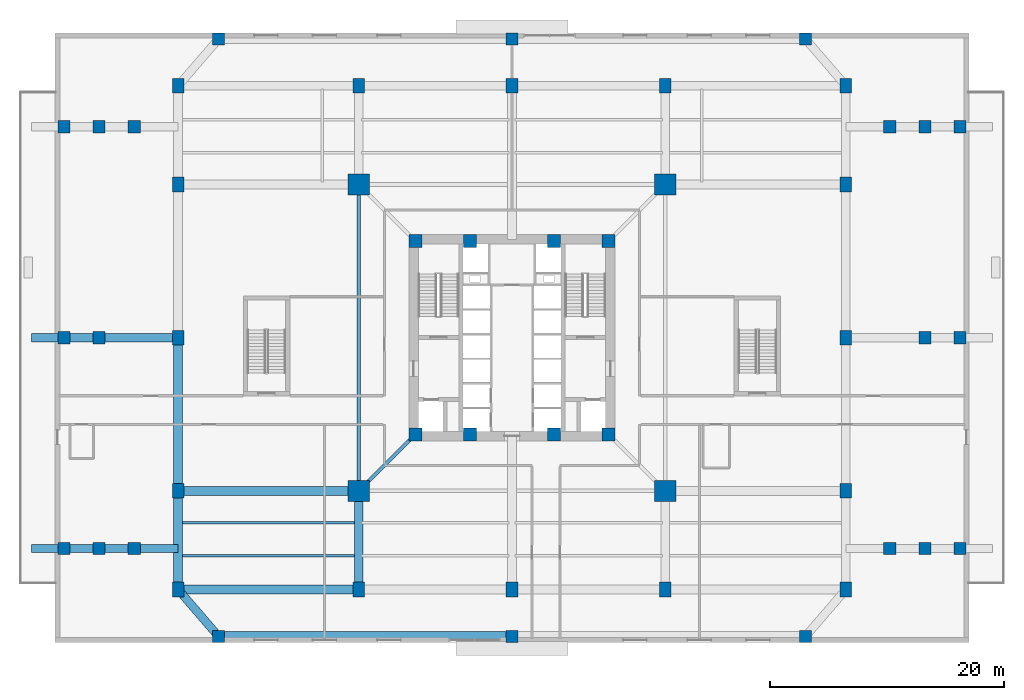
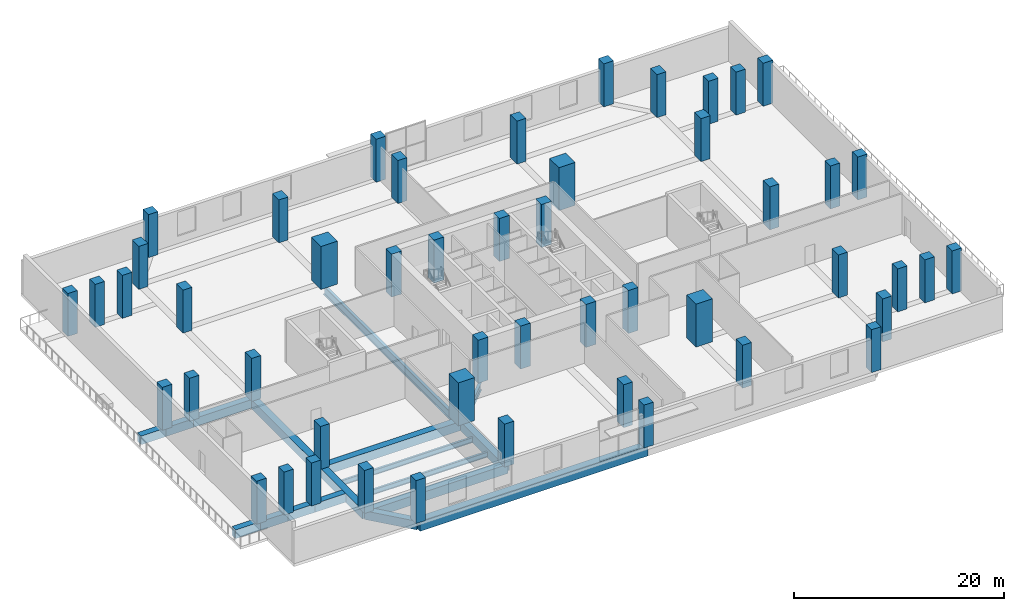
# One storey, part 1 of 17: 50 columns, 18 beams.
"""IFC4 building model written with IfcOpenShell, lengths in metres."""

from ifc_helpers import new_model, si_unit, direction, frame, origin, origin_2d, place, context, subcontext, project, spatial, rectangle, i_section, extrude, source, transform, mapped, material, material_profile, profile_set, type_object, element, save


model = new_model("IFC4")

# Units and contexts
model_context = context("Model", 3, precision=1e-05, world=origin(), true_north=direction((0.0, 1.0)))
body_context = subcontext(model_context, "Body", "Model", "MODEL_VIEW")
ifc_project = project(units=[si_unit("LENGTHUNIT", "METRE"), si_unit("AREAUNIT", "SQUARE_METRE"), si_unit("VOLUMEUNIT", "CUBIC_METRE"), si_unit("PLANEANGLEUNIT", "RADIAN"), si_unit("MASSUNIT", "GRAM", prefix="KILO"), si_unit("THERMODYNAMICTEMPERATUREUNIT", "KELVIN")], contexts=[model_context])

# Site, building, storey
site_placement = place(None, origin())
site = spatial("IfcSite", under=ifc_project, at=site_placement, CompositionType="ELEMENT")
building_placement = place(site_placement, origin())
building = spatial("IfcBuilding", under=site, at=building_placement, Name="Kosmvard Interchange Tower", CompositionType="ELEMENT")
storey_placement = place(building_placement, frame((0.0, 0.0, 6.0)))
storey = spatial("IfcBuildingStorey", under=building, at=storey_placement, Name="L01", CompositionType="ELEMENT", Elevation=6.0)

# Columns
ifc_material_1 = material(Name="Concrete C80/95", Category="concrete")
ifc_material_profile_1 = material_profile(ifc_material_1, rectangle(XDim=1.10009765625, YDim=1.10009765625, at=origin_2d()), Name="CP 1100x1100")
ifc_profile_set_1 = profile_set([ifc_material_profile_1], Name="Concrete C80/95")
column_type_1 = type_object("IfcColumnType", Name="Core Boundary Pilaster 1100x1100 C80/95", PredefinedType="PILASTER", material=ifc_profile_set_1)
shared_shape_1 = source(origin(), body_context, "Body", "SweptSolid", [
    extrude(rectangle(XDim=1.10009765625, YDim=1.10009765625, at=origin_2d()), origin(), (0.0, 0.0, 1.0), 5.0),
])
for number, where, z_axis, x_axis, name in (
    (1, (-8.25, -8.25, 0.0), (0.0, 0.0, 1.0), (1.0, 0.0, 0.0), "L01 Core Pilaster CP1"),
    (2, (8.25, -8.25, 0.0), (0.0, 0.0, 1.0), (1.0, 0.0, 0.0), "L01 Core Pilaster CP2"),
    (3, (8.25, 8.25, 0.0), (0.0, 0.0, 1.0), (1.0, 0.0, 0.0), "L01 Core Pilaster CP3"),
    (4, (-8.25, 8.25, 0.0), (0.0, 0.0, 1.0), (1.0, 0.0, 0.0), "L01 Core Pilaster CP4"),
    (5, (-3.60009765625, -8.25, 0.0), (0.0, 0.0, 1.0), (1.0, 0.0, 0.0), "L01 Core Pilaster CP5"),
    (6, (3.60009765625, -8.25, 0.0), (0.0, 0.0, 1.0), (1.0, 0.0, 0.0), "L01 Core Pilaster CP6"),
    (7, (-3.60009765625, 8.25, 0.0), (0.0, 0.0, 1.0), (1.0, 0.0, 0.0), "L01 Core Pilaster CP7"),
    (8, (3.60009765625, 8.25, 0.0), (0.0, 0.0, 1.0), (1.0, 0.0, 0.0), "L01 Core Pilaster CP8"),
):
    element("IfcColumn", number, at=place(storey_placement, frame(where, z_axis=z_axis, x_axis=x_axis)), inside=storey, type_object=column_type_1, Name=name, PredefinedType="PILASTER", context=body_context, shape_type="MappedRepresentation", body=[
        mapped(shared_shape_1, transform((0.0, 0.0, 0.0), scale=1.0)),
    ])
ifc_material_profile_2 = material_profile(ifc_material_1, rectangle(XDim=1.800048828125, YDim=1.800048828125, at=origin_2d()), Name="MC 1800x1800")
ifc_profile_set_2 = profile_set([ifc_material_profile_2], Name="Concrete C80/95")
column_type_2 = type_object("IfcColumnType", Name="Composite Mega-Column 1800x1800 C80/95", PredefinedType="COLUMN", material=ifc_profile_set_2)
shared_shape_2 = source(origin(), body_context, "Body", "SweptSolid", [
    extrude(rectangle(XDim=1.800048828125, YDim=1.800048828125, at=origin_2d()), origin(), (0.0, 0.0, 1.0), 5.0),
])
for number, where, z_axis, x_axis, name in (
    (9, (-13.0810546875, -13.0810546875, 0.0), (0.0, 0.0, 1.0), (1.0, 0.0, 0.0), "L01 Corner Mega-Column MC1"),
    (10, (13.0810546875, -13.0810546875, 0.0), (0.0, 0.0, 1.0), (1.0, 0.0, 0.0), "L01 Corner Mega-Column MC2"),
    (11, (13.0810546875, 13.0810546875, 0.0), (0.0, 0.0, 1.0), (1.0, 0.0, 0.0), "L01 Corner Mega-Column MC3"),
    (12, (-13.0810546875, 13.0810546875, 0.0), (0.0, 0.0, 1.0), (1.0, 0.0, 0.0), "L01 Corner Mega-Column MC4"),
):
    element("IfcColumn", number, at=place(storey_placement, frame(where, z_axis=z_axis, x_axis=x_axis)), inside=storey, type_object=column_type_2, Name=name, PredefinedType="COLUMN", context=body_context, shape_type="MappedRepresentation", body=[
        mapped(shared_shape_2, transform((0.0, 0.0, 0.0), scale=1.0)),
    ])
ifc_material_2 = material(Name="Concrete C60/75", Category="concrete")
ifc_material_profile_3 = material_profile(ifc_material_2, rectangle(XDim=1.0, YDim=1.25, at=origin_2d()), Name="PC 1250x1000")
ifc_profile_set_3 = profile_set([ifc_material_profile_3], Name="Concrete C60/75")
column_type_3 = type_object("IfcColumnType", Name="Podium Concourse Column 1250x1000 C60/75", PredefinedType="COLUMN", material=ifc_profile_set_3)
shared_shape_3 = source(origin(), body_context, "Body", "SweptSolid", [
    extrude(rectangle(XDim=1.0, YDim=1.25, at=origin_2d()), origin(), (0.0, 0.0, 1.0), 5.0),
])
for number, where, z_axis, x_axis, name in (
    (13, (-28.5, -21.5, 0.0), (0.0, 0.0, 1.0), (1.0, 0.0, 0.0), "L01 Podium Column PC-S1"),
    (14, (-13.0810546875, -21.5, 0.0), (0.0, 0.0, 1.0), (1.0, 0.0, 0.0), "L01 Podium Column PC-S2"),
    (15, (0.0, -21.5, 0.0), (0.0, 0.0, 1.0), (1.0, 0.0, 0.0), "L01 Podium Column PC-S3"),
    (16, (13.0810546875, -21.5, 0.0), (0.0, 0.0, 1.0), (1.0, 0.0, 0.0), "L01 Podium Column PC-S4"),
    (17, (28.5, -21.5, 0.0), (0.0, 0.0, 1.0), (1.0, 0.0, 0.0), "L01 Podium Column PC-S5"),
    (18, (-28.5, 21.5, 0.0), (0.0, 0.0, 1.0), (1.0, 0.0, 0.0), "L01 Podium Column PC-N1"),
    (19, (-13.0810546875, 21.5, 0.0), (0.0, 0.0, 1.0), (1.0, 0.0, 0.0), "L01 Podium Column PC-N2"),
    (20, (0.0, 21.5, 0.0), (0.0, 0.0, 1.0), (1.0, 0.0, 0.0), "L01 Podium Column PC-N3"),
    (21, (13.0810546875, 21.5, 0.0), (0.0, 0.0, 1.0), (1.0, 0.0, 0.0), "L01 Podium Column PC-N4"),
    (22, (28.5, 21.5, 0.0), (0.0, 0.0, 1.0), (1.0, 0.0, 0.0), "L01 Podium Column PC-N5"),
    (23, (-28.5, -13.0810546875, 0.0), (0.0, 0.0, 1.0), (1.0, 0.0, 0.0), "L01 Podium Column PC-W1"),
    (24, (-28.5, 0.0, 0.0), (0.0, 0.0, 1.0), (1.0, 0.0, 0.0), "L01 Podium Column PC-W2"),
    (25, (-28.5, 13.0810546875, 0.0), (0.0, 0.0, 1.0), (1.0, 0.0, 0.0), "L01 Podium Column PC-W3"),
    (26, (28.5, -13.0810546875, 0.0), (0.0, 0.0, 1.0), (1.0, 0.0, 0.0), "L01 Podium Column PC-E1"),
    (27, (28.5, 0.0, 0.0), (0.0, 0.0, 1.0), (1.0, 0.0, 0.0), "L01 Podium Column PC-E2"),
    (28, (28.5, 13.0810546875, 0.0), (0.0, 0.0, 1.0), (1.0, 0.0, 0.0), "L01 Podium Column PC-E3"),
):
    element("IfcColumn", number, at=place(storey_placement, frame(where, z_axis=z_axis, x_axis=x_axis)), inside=storey, type_object=column_type_3, Name=name, PredefinedType="COLUMN", context=body_context, shape_type="MappedRepresentation", body=[
        mapped(shared_shape_3, transform((0.0, 0.0, 0.0), scale=1.0)),
    ])
ifc_material_profile_4 = material_profile(ifc_material_2, rectangle(XDim=1.050048828125, YDim=1.050048828125, at=origin_2d()), Name="PC 1050x1050")
ifc_profile_set_4 = profile_set([ifc_material_profile_4], Name="Concrete C60/75")
column_type_4 = type_object("IfcColumnType", Name="Podium Perimeter Column 1050x1050 C60/75", PredefinedType="COLUMN", material=ifc_profile_set_4)
shared_shape_4 = source(origin(), body_context, "Body", "SweptSolid", [
    extrude(rectangle(XDim=1.050048828125, YDim=1.050048828125, at=origin_2d()), origin(), (0.0, 0.0, 1.0), 5.0),
])
for number, where, z_axis, x_axis, name in (
    (29, (-25.050048828125, -25.5, 0.0), (0.0, 0.0, 1.0), (1.0, 0.0, 0.0), "L01 Podium Column PC-TS1"),
    (30, (0.0, -25.5, 0.0), (0.0, 0.0, 1.0), (1.0, 0.0, 0.0), "L01 Podium Column PC-TS2"),
    (31, (25.050048828125, -25.5, 0.0), (0.0, 0.0, 1.0), (1.0, 0.0, 0.0), "L01 Podium Column PC-TS3"),
    (32, (-25.050048828125, 25.5, 0.0), (0.0, 0.0, 1.0), (1.0, 0.0, 0.0), "L01 Podium Column PC-TN1"),
    (33, (0.0, 25.5, 0.0), (0.0, 0.0, 1.0), (1.0, 0.0, 0.0), "L01 Podium Column PC-TN2"),
    (34, (25.050048828125, 25.5, 0.0), (0.0, 0.0, 1.0), (1.0, 0.0, 0.0), "L01 Podium Column PC-TN3"),
    (35, (-32.25, -18.0, 0.0), (0.0, 0.0, 1.0), (1.0, 0.0, 0.0), "L01 Podium Column PC-TW3"),
    (36, (-32.25, 18.0, 0.0), (0.0, 0.0, 1.0), (1.0, 0.0, 0.0), "L01 Podium Column PC-TW4"),
    (37, (32.25, -18.0, 0.0), (0.0, 0.0, 1.0), (1.0, 0.0, 0.0), "L01 Podium Column PC-TE3"),
    (38, (32.25, 18.0, 0.0), (0.0, 0.0, 1.0), (1.0, 0.0, 0.0), "L01 Podium Column PC-TE4"),
    (39, (-35.25, -18.0, 0.0), (0.0, 0.0, 1.0), (1.0, 0.0, 0.0), "L01 Podium Column PC-TW2"),
    (40, (-35.25, 0.0, 0.0), (0.0, 0.0, 1.0), (1.0, 0.0, 0.0), "L01 Podium Column PC-TW5"),
    (41, (-35.25, 18.0, 0.0), (0.0, 0.0, 1.0), (1.0, 0.0, 0.0), "L01 Podium Column PC-TW6"),
    (42, (35.25, -18.0, 0.0), (0.0, 0.0, 1.0), (1.0, 0.0, 0.0), "L01 Podium Column PC-TE2"),
    (43, (35.25, 0.0, 0.0), (0.0, 0.0, 1.0), (1.0, 0.0, 0.0), "L01 Podium Column PC-TE5"),
    (44, (35.25, 18.0, 0.0), (0.0, 0.0, 1.0), (1.0, 0.0, 0.0), "L01 Podium Column PC-TE6"),
    (45, (-38.25, -18.0, 0.0), (0.0, 0.0, 1.0), (1.0, 0.0, 0.0), "L01 Podium Column PC-TW1"),
    (46, (-38.25, 0.0, 0.0), (0.0, 0.0, 1.0), (1.0, 0.0, 0.0), "L01 Podium Column PC-TW7"),
    (47, (-38.25, 18.0, 0.0), (0.0, 0.0, 1.0), (1.0, 0.0, 0.0), "L01 Podium Column PC-TW8"),
    (48, (38.25, -18.0, 0.0), (0.0, 0.0, 1.0), (1.0, 0.0, 0.0), "L01 Podium Column PC-TE1"),
    (49, (38.25, 0.0, 0.0), (0.0, 0.0, 1.0), (1.0, 0.0, 0.0), "L01 Podium Column PC-TE7"),
    (50, (38.25, 18.0, 0.0), (0.0, 0.0, 1.0), (1.0, 0.0, 0.0), "L01 Podium Column PC-TE8"),
):
    element("IfcColumn", number, at=place(storey_placement, frame(where, z_axis=z_axis, x_axis=x_axis)), inside=storey, type_object=column_type_4, Name=name, PredefinedType="COLUMN", context=body_context, shape_type="MappedRepresentation", body=[
        mapped(shared_shape_4, transform((0.0, 0.0, 0.0), scale=1.0)),
    ])

# Beams
ifc_material_3 = material(Name="Steel S460", Category="steel")
ifc_material_profile_5 = material_profile(ifc_material_3, i_section(OverallWidth=0.30810546875, OverallDepth=0.909912109375, WebThickness=0.02099609375, FlangeThickness=0.0400390625, FilletRadius=0.027099609375, at=origin_2d()), Name="HEM 900")
ifc_profile_set_5 = profile_set([ifc_material_profile_5], Name="Steel S460")
beam_type_1 = type_object("IfcBeamType", Name="Primary Mega-Frame Girder HEM 900 S460", PredefinedType="BEAM", material=ifc_profile_set_5)
shared_shape_5 = source(origin(), body_context, "Body", "SweptSolid", [
    extrude(i_section(OverallWidth=0.30810546875, OverallDepth=0.909912109375, WebThickness=0.02099609375, FlangeThickness=0.0400390625, FilletRadius=0.027099609375, at=origin_2d()), origin(), (0.0, 0.0, 1.0), 6.83203125),
])
beam_1_placement = place(storey_placement, frame((-8.25, -8.25, -0.794921875), z_axis=(-0.707106781187, -0.707106781187, 0.0), x_axis=(0.707106781187, -0.707106781187, 0.0)))
element("IfcBeam", 51, at=beam_1_placement, inside=storey, type_object=beam_type_1, Name="L01 Radial Mega-Frame Girder 1", PredefinedType="BEAM", context=body_context, shape_type="MappedRepresentation", body=[
    mapped(shared_shape_5, transform((0.0, 0.0, 0.0), scale=1.0)),
])
ifc_material_profile_6 = material_profile(ifc_material_3, i_section(OverallWidth=0.30908203125, OverallDepth=1.008056640625, WebThickness=0.02099609375, FlangeThickness=0.0400390625, FilletRadius=0.030029296875, at=origin_2d()), Name="HEM 1000")
ifc_profile_set_6 = profile_set([ifc_material_profile_6], Name="Steel S460")
beam_type_2 = type_object("IfcBeamType", Name="Mega-Column Ring Girder HEM 1000 S460", PredefinedType="BEAM", material=ifc_profile_set_6)
shared_shape_6 = source(origin(), body_context, "Body", "SweptSolid", [
    extrude(i_section(OverallWidth=0.30908203125, OverallDepth=1.008056640625, WebThickness=0.02099609375, FlangeThickness=0.0400390625, FilletRadius=0.030029296875, at=origin_2d()), origin(), (0.0, 0.0, 1.0), 26.162109375),
])
beam_2_placement = place(storey_placement, frame((-13.0810546875, 13.0810546875, -0.843994140625), z_axis=(0.0, -1.0, 0.0), x_axis=(1.0, 0.0, 0.0)))
element("IfcBeam", 52, at=beam_2_placement, inside=storey, type_object=beam_type_2, Name="L01 Mega-Column Ring Girder 4", PredefinedType="BEAM", context=body_context, shape_type="MappedRepresentation", body=[
    mapped(shared_shape_6, transform((0.0, 0.0, 0.0), scale=1.0)),
])
ifc_material_4 = material(Name="Steel S355", Category="steel")
ifc_material_profile_7 = material_profile(ifc_material_4, i_section(OverallWidth=0.219970703125, OverallDepth=0.60009765625, WebThickness=0.011962890625, FlangeThickness=0.01904296875, FilletRadius=0.02392578125, at=origin_2d()), Name="IPE 600")
ifc_profile_set_7 = profile_set([ifc_material_profile_7], Name="Steel S355")
beam_type_3 = type_object("IfcBeamType", Name="Long-Span Floor Joist IPE 600 S355", PredefinedType="JOIST", material=ifc_profile_set_7)
shared_shape_7 = source(origin(), body_context, "Body", "SweptSolid", [
    extrude(i_section(OverallWidth=0.219970703125, OverallDepth=0.60009765625, WebThickness=0.011962890625, FlangeThickness=0.01904296875, FilletRadius=0.02392578125, at=origin_2d()), origin(), (0.0, 0.0, 1.0), 14.949951171875),
])
for number, where, z_axis, x_axis, name in (
    (53, (-28.25, -18.60009765625, -0.639892578125), (1.0, 0.0, 0.0), (0.0, 1.0, 0.0), "BM-L01-PJ01"),
    (54, (-28.25, -15.800048828125, -0.639892578125), (1.0, 0.0, 0.0), (0.0, 1.0, 0.0), "BM-L01-PJ05"),
):
    element("IfcBeam", number, at=place(storey_placement, frame(where, z_axis=z_axis, x_axis=x_axis)), inside=storey, type_object=beam_type_3, Name=name, PredefinedType="JOIST", context=body_context, shape_type="MappedRepresentation", body=[
        mapped(shared_shape_7, transform((0.0, 0.0, 0.0), scale=1.0)),
    ])
ifc_material_profile_8 = material_profile(ifc_material_2, rectangle(XDim=0.75, YDim=1.050048828125, at=origin_2d()), Name="RCG 750x1050")
ifc_profile_set_8 = profile_set([ifc_material_profile_8], Name="Concrete C60/75")
beam_type_4 = type_object("IfcBeamType", Name="Concourse Mid-Span RC Girder 750x1050 C60/75", PredefinedType="BEAM", material=ifc_profile_set_8)
shared_shape_8 = source(origin(), body_context, "Body", "SweptSolid", [
    extrude(rectangle(XDim=0.75, YDim=1.050048828125, at=origin_2d()), origin(), (0.0, 0.0, 1.0), 15.4189453125),
])
for number, where, z_axis, x_axis, name in (
    (55, (-28.5, -21.5, -0.52490234375), (1.0, 0.0, 0.0), (0.0, 1.0, 0.0), "BM-L01-PG-S1"),
    (56, (-28.5, -13.0810546875, -0.52490234375), (1.0, 0.0, 0.0), (0.0, 1.0, 0.0), "BM-L01-PG-CW1"),
):
    element("IfcBeam", number, at=place(storey_placement, frame(where, z_axis=z_axis, x_axis=x_axis)), inside=storey, type_object=beam_type_4, Name=name, PredefinedType="BEAM", context=body_context, shape_type="MappedRepresentation", body=[
        mapped(shared_shape_8, transform((0.0, 0.0, 0.0), scale=1.0)),
    ])
shared_shape_9 = source(origin(), body_context, "Body", "SweptSolid", [
    extrude(rectangle(XDim=0.75, YDim=1.050048828125, at=origin_2d()), origin(), (0.0, 0.0, 1.0), 13.0810546875),
])
beam_3_placement = place(storey_placement, frame((-28.5, -13.0810546875, -0.52490234375), z_axis=(0.0, 1.0, 0.0), x_axis=(-1.0, 0.0, 0.0)))
element("IfcBeam", 57, at=beam_3_placement, inside=storey, type_object=beam_type_4, Name="BM-L01-PG-W2", PredefinedType="BEAM", context=body_context, shape_type="MappedRepresentation", body=[
    mapped(shared_shape_9, transform((0.0, 0.0, 0.0), scale=1.0)),
])
shared_shape_10 = source(origin(), body_context, "Body", "SweptSolid", [
    extrude(rectangle(XDim=0.75, YDim=1.050048828125, at=origin_2d()), origin(), (0.0, 0.0, 1.0), 8.4189453125),
])
for number, where, z_axis, x_axis, name in (
    (58, (-28.5, -21.5, -0.52490234375), (0.0, 1.0, 0.0), (-1.0, 0.0, 0.0), "BM-L01-PG-W1"),
    (59, (-13.0810546875, -21.5, -0.52490234375), (0.0, 1.0, 0.0), (-1.0, 0.0, 0.0), "BM-L01-PG-CS1"),
):
    element("IfcBeam", number, at=place(storey_placement, frame(where, z_axis=z_axis, x_axis=x_axis)), inside=storey, type_object=beam_type_4, Name=name, PredefinedType="BEAM", context=body_context, shape_type="MappedRepresentation", body=[
        mapped(shared_shape_10, transform((0.0, 0.0, 0.0), scale=1.0)),
    ])
ifc_material_profile_9 = material_profile(ifc_material_2, rectangle(XDim=0.800048828125, YDim=1.14990234375, at=origin_2d()), Name="RCG 800x1150")
ifc_profile_set_9 = profile_set([ifc_material_profile_9], Name="Concrete C60/75")
beam_type_5 = type_object("IfcBeamType", Name="Concourse Long-Span RC Girder 800x1150 C60/75", PredefinedType="BEAM", material=ifc_profile_set_9)
shared_shape_11 = source(origin(), body_context, "Body", "SweptSolid", [
    extrude(rectangle(XDim=0.800048828125, YDim=1.14990234375, at=origin_2d()), origin(), (0.0, 0.0, 1.0), 25.050048828125),
])
beam_4_placement = place(storey_placement, frame((-25.050048828125, -25.5, -0.574951171875), z_axis=(1.0, 0.0, 0.0), x_axis=(0.0, 1.0, 0.0)))
element("IfcBeam", 60, at=beam_4_placement, inside=storey, type_object=beam_type_5, Name="BM-L01-PG-TS1", PredefinedType="BEAM", context=body_context, shape_type="MappedRepresentation", body=[
    mapped(shared_shape_11, transform((0.0, 0.0, 0.0), scale=1.0)),
])
ifc_material_profile_10 = material_profile(ifc_material_2, rectangle(XDim=0.699951171875, YDim=1.0, at=origin_2d()), Name="RCG 700x1000")
ifc_profile_set_10 = profile_set([ifc_material_profile_10], Name="Concrete C60/75")
beam_type_6 = type_object("IfcBeamType", Name="Concourse Primary RC Girder 700x1000 C60/75", PredefinedType="BEAM", material=ifc_profile_set_10)
shared_shape_12 = source(origin(), body_context, "Body", "SweptSolid", [
    extrude(rectangle(XDim=0.699951171875, YDim=1.0, at=origin_2d()), origin(), (0.0, 0.0, 1.0), 5.2822265625),
])
beam_5_placement = place(storey_placement, frame((-25.050048828125, -25.5, -0.5), z_axis=(-0.653121547432, 0.757253091298, 0.0), x_axis=(-0.757253091298, -0.653121547432, 0.0)))
element("IfcBeam", 61, at=beam_5_placement, inside=storey, type_object=beam_type_6, Name="BM-L01-PG-TSL", PredefinedType="BEAM", context=body_context, shape_type="MappedRepresentation", body=[
    mapped(shared_shape_12, transform((0.0, 0.0, 0.0), scale=1.0)),
])
shared_shape_13 = source(origin(), body_context, "Body", "SweptSolid", [
    extrude(rectangle(XDim=0.699951171875, YDim=1.0, at=origin_2d()), origin(), (0.0, 0.0, 1.0), 3.75),
])
beam_6_placement = place(storey_placement, frame((-28.5, -18.0, -0.5), z_axis=(-1.0, 0.0, 0.0), x_axis=(0.0, -1.0, 0.0)))
element("IfcBeam", 62, at=beam_6_placement, inside=storey, type_object=beam_type_6, Name="BM-L01-PG-TCW11", PredefinedType="BEAM", context=body_context, shape_type="MappedRepresentation", body=[
    mapped(shared_shape_13, transform((0.0, 0.0, 0.0), scale=1.0)),
])
shared_shape_14 = source(origin(), body_context, "Body", "SweptSolid", [
    extrude(rectangle(XDim=0.699951171875, YDim=1.0, at=origin_2d()), origin(), (0.0, 0.0, 1.0), 3.0),
])
for number, where, z_axis, x_axis, name in (
    (63, (-32.25, -18.0, -0.5), (-1.0, 0.0, 0.0), (0.0, -1.0, 0.0), "BM-L01-PG-TCW12"),
    (64, (-35.25, -18.0, -0.5), (-1.0, 0.0, 0.0), (0.0, -1.0, 0.0), "BM-L01-PG-TCW13"),
    (65, (-35.25, 0.0, -0.5), (-1.0, 0.0, 0.0), (0.0, -1.0, 0.0), "BM-L01-PG-TCW22"),
):
    element("IfcBeam", number, at=place(storey_placement, frame(where, z_axis=z_axis, x_axis=x_axis)), inside=storey, type_object=beam_type_6, Name=name, PredefinedType="BEAM", context=body_context, shape_type="MappedRepresentation", body=[
        mapped(shared_shape_14, transform((0.0, 0.0, 0.0), scale=1.0)),
    ])
shared_shape_15 = source(origin(), body_context, "Body", "SweptSolid", [
    extrude(rectangle(XDim=0.699951171875, YDim=1.0, at=origin_2d()), origin(), (0.0, 0.0, 1.0), 2.75),
])
for number, where, z_axis, x_axis, name in (
    (66, (-38.25, -18.0, -0.5), (-1.0, 0.0, 0.0), (0.0, -1.0, 0.0), "BM-L01-PG-TCW14"),
    (67, (-38.25, 0.0, -0.5), (-1.0, 0.0, 0.0), (0.0, -1.0, 0.0), "BM-L01-PG-TCW23"),
):
    element("IfcBeam", number, at=place(storey_placement, frame(where, z_axis=z_axis, x_axis=x_axis)), inside=storey, type_object=beam_type_6, Name=name, PredefinedType="BEAM", context=body_context, shape_type="MappedRepresentation", body=[
        mapped(shared_shape_15, transform((0.0, 0.0, 0.0), scale=1.0)),
    ])
shared_shape_16 = source(origin(), body_context, "Body", "SweptSolid", [
    extrude(rectangle(XDim=0.699951171875, YDim=1.0, at=origin_2d()), origin(), (0.0, 0.0, 1.0), 6.75),
])
beam_7_placement = place(storey_placement, frame((-28.5, 0.0, -0.5), z_axis=(-1.0, 0.0, 0.0), x_axis=(0.0, -1.0, 0.0)))
element("IfcBeam", 68, at=beam_7_placement, inside=storey, type_object=beam_type_6, Name="BM-L01-PG-TCW21", PredefinedType="BEAM", context=body_context, shape_type="MappedRepresentation", body=[
    mapped(shared_shape_16, transform((0.0, 0.0, 0.0), scale=1.0)),
])

save(model, "model.ifc")
